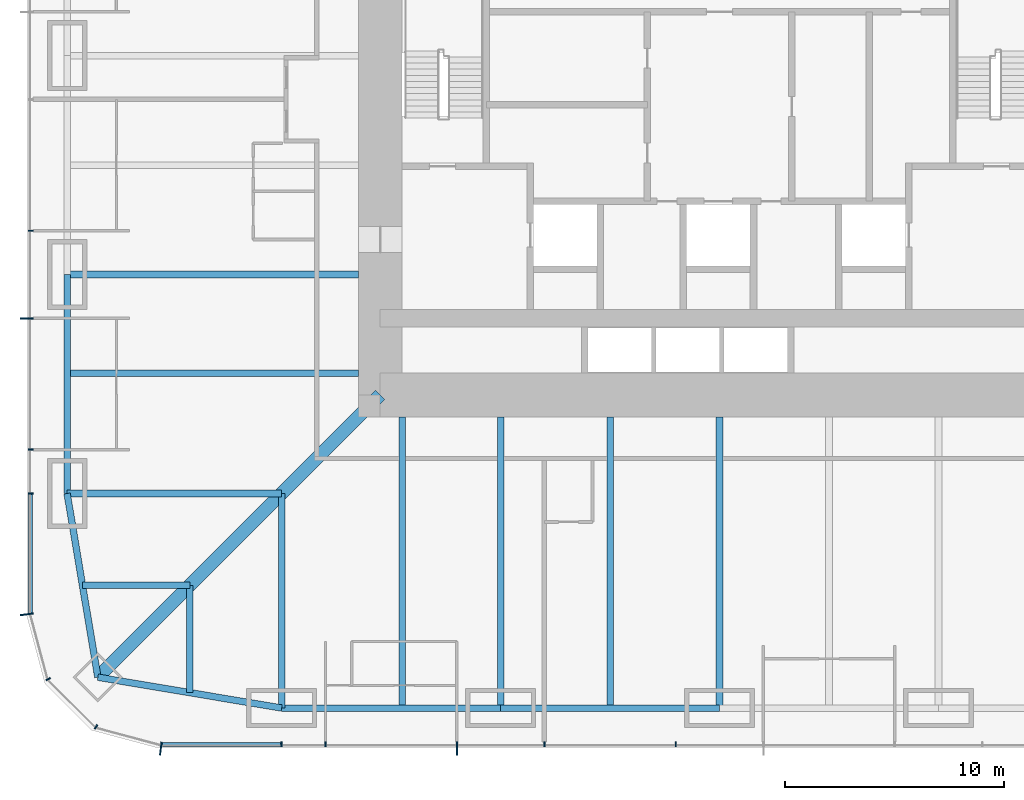
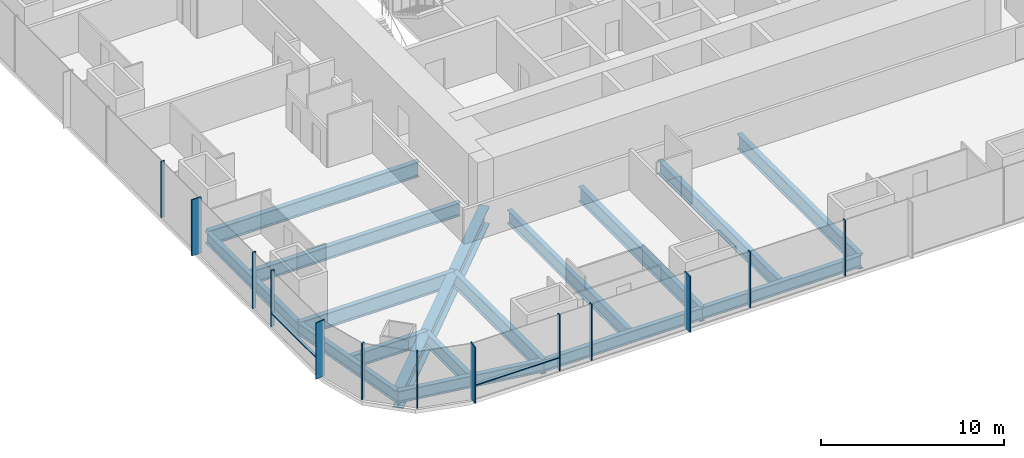
# One storey, part 2 of 17: 16 beams, 15 members, 3 elements without a shape of their own.
"""IFC4 building model written with IfcOpenShell, lengths in metres."""

from ifc_helpers import new_model, si_unit, direction, frame, origin, origin_2d, place, context, subcontext, project, spatial, rectangle, i_section, extrude, material, material_profile, profile_set, type_object, element, aggregate, save


model = new_model("IFC4")

# Units and contexts
model_context = context("Model", 3, precision=1e-05, world=origin(), true_north=direction((0.0, 1.0)))
body_context = subcontext(model_context, "Body", "Model", "MODEL_VIEW")
ifc_project = project(units=[si_unit("LENGTHUNIT", "METRE"), si_unit("AREAUNIT", "SQUARE_METRE"), si_unit("VOLUMEUNIT", "CUBIC_METRE"), si_unit("PLANEANGLEUNIT", "RADIAN"), si_unit("MASSUNIT", "GRAM", prefix="KILO")], contexts=[model_context])

# Site, building, storey
site_placement = place(None, origin())
site = spatial("IfcSite", under=ifc_project, at=site_placement, CompositionType="ELEMENT")
building_placement = place(site_placement, origin())
building = spatial("IfcBuilding", under=site, at=building_placement, Name="Khuree Lantern Residences", CompositionType="ELEMENT")
storey_placement = place(building_placement, frame((0.0, 0.0, 51.0)))
storey = spatial("IfcBuildingStorey", under=building, at=storey_placement, Name="L12", CompositionType="ELEMENT", Elevation=51.0)

# Beams
ifc_material_1 = material(Name="Steel S355", Category="steel")
ifc_material_profile_1 = material_profile(ifc_material_1, i_section(OverallWidth=0.300048828125, OverallDepth=0.889892578125, WebThickness=0.01611328125, FlangeThickness=0.030029296875, FilletRadius=0.030029296875, at=origin_2d()), Name="HE 900 A")
ifc_profile_set_1 = profile_set([ifc_material_profile_1], Name="Steel S355")
beam_type_1 = type_object("IfcBeamType", Name="B-13 SECONDARY BEAM HE 900 A", PredefinedType="BEAM", material=ifc_profile_set_1)
for number, where, z_axis, x_axis, name in (
    (1, (-5.0, -29.800048828125, -0.695068359375), (0.0, 1.0, 0.0), (-1.0, 0.0, 0.0), "Secondary beam S4"),
    (2, (-14.5, -29.800048828125, -0.695068359375), (0.0, 1.0, 0.0), (-1.0, 0.0, 0.0), "Secondary beam S5"),
):
    element("IfcBeam", number, at=place(storey_placement, frame(where, z_axis=z_axis, x_axis=x_axis)), inside=storey, type_object=beam_type_1, Name=name, PredefinedType="BEAM", context=body_context, shape_type="SweptSolid", body=[
        extrude(i_section(OverallWidth=0.300048828125, OverallDepth=0.889892578125, WebThickness=0.01611328125, FlangeThickness=0.030029296875, FilletRadius=0.030029296875, at=origin_2d()), origin(), (0.0, 0.0, 1.0), 13.300048828125),
    ])
for number, where, z_axis, x_axis, name in (
    (3, (-24.197021484375, -29.09716796875, -0.695068359375), (0.0, 1.0, 0.0), (-1.0, 0.0, 0.0), "Secondary beam S6"),
    (4, (-29.09716796875, -24.197021484375, -0.695068359375), (1.0, 0.0, 0.0), (0.0, 1.0, 0.0), "Secondary beam W1"),
):
    element("IfcBeam", number, at=place(storey_placement, frame(where, z_axis=z_axis, x_axis=x_axis)), inside=storey, type_object=beam_type_1, Name=name, PredefinedType="BEAM", context=body_context, shape_type="SweptSolid", body=[
        extrude(i_section(OverallWidth=0.300048828125, OverallDepth=0.889892578125, WebThickness=0.01611328125, FlangeThickness=0.030029296875, FilletRadius=0.030029296875, at=origin_2d()), origin(), (0.0, 0.0, 1.0), 4.900146484375),
    ])
beam_1_placement = place(storey_placement, frame((-29.800048828125, -14.5, -0.695068359375), z_axis=(1.0, 0.0, 0.0), x_axis=(0.0, 1.0, 0.0)))
element("IfcBeam", 5, at=beam_1_placement, inside=storey, type_object=beam_type_1, Name="Secondary beam W2", PredefinedType="BEAM", context=body_context, shape_type="SweptSolid", body=[
    extrude(i_section(OverallWidth=0.300048828125, OverallDepth=0.889892578125, WebThickness=0.01611328125, FlangeThickness=0.030029296875, FilletRadius=0.030029296875, at=origin_2d()), origin(), (0.0, 0.0, 1.0), 13.300048828125),
])
ifc_material_profile_2 = material_profile(ifc_material_1, i_section(OverallWidth=0.300048828125, OverallDepth=0.7900390625, WebThickness=0.014892578125, FlangeThickness=0.028076171875, FilletRadius=0.030029296875, at=origin_2d()), Name="HE 800 A")
ifc_profile_set_2 = profile_set([ifc_material_profile_2], Name="Steel S355")
beam_type_2 = type_object("IfcBeamType", Name="E-13 SPANDREL BEAM HE 800 A", PredefinedType="SPANDREL", material=ifc_profile_set_2)
for number, where, z_axis, x_axis, name in (
    (6, (0.0, -29.800048828125, -0.64501953125), (-1.0, 0.0, 0.0), (0.0, -1.0, 0.0), "Spandrel beam S4"),
    (7, (-10.0, -29.800048828125, -0.64501953125), (-1.0, 0.0, 0.0), (0.0, -1.0, 0.0), "Spandrel beam S5"),
):
    element("IfcBeam", number, at=place(storey_placement, frame(where, z_axis=z_axis, x_axis=x_axis)), inside=storey, type_object=beam_type_2, Name=name, PredefinedType="SPANDREL", context=body_context, shape_type="SweptSolid", body=[
        extrude(i_section(OverallWidth=0.300048828125, OverallDepth=0.7900390625, WebThickness=0.014892578125, FlangeThickness=0.028076171875, FilletRadius=0.030029296875, at=origin_2d()), origin(), (0.0, 0.0, 1.0), 10.0),
    ])
for number, where, z_axis, x_axis, name in (
    (8, (-20.0, -29.800048828125, -0.64501953125), (-0.986260251158, 0.165199022349, 0.0), (-0.165199022349, -0.986260251158, 0.0), "Spandrel beam S6"),
    (9, (-28.39404296875, -28.39404296875, -0.64501953125), (-0.165199022349, 0.986260251158, 0.0), (-0.986260251158, -0.165199022349, 0.0), "Spandrel beam W1"),
):
    element("IfcBeam", number, at=place(storey_placement, frame(where, z_axis=z_axis, x_axis=x_axis)), inside=storey, type_object=beam_type_2, Name=name, PredefinedType="SPANDREL", context=body_context, shape_type="SweptSolid", body=[
        extrude(i_section(OverallWidth=0.300048828125, OverallDepth=0.7900390625, WebThickness=0.014892578125, FlangeThickness=0.028076171875, FilletRadius=0.030029296875, at=origin_2d()), origin(), (0.0, 0.0, 1.0), 8.510986328125),
    ])
beam_2_placement = place(storey_placement, frame((-29.800048828125, -20.0, -0.64501953125), z_axis=(0.0, 1.0, 0.0), x_axis=(-1.0, 0.0, 0.0)))
element("IfcBeam", 10, at=beam_2_placement, inside=storey, type_object=beam_type_2, Name="Spandrel beam W2", PredefinedType="SPANDREL", context=body_context, shape_type="SweptSolid", body=[
    extrude(i_section(OverallWidth=0.300048828125, OverallDepth=0.7900390625, WebThickness=0.014892578125, FlangeThickness=0.028076171875, FilletRadius=0.030029296875, at=origin_2d()), origin(), (0.0, 0.0, 1.0), 10.0),
])

# Curtain wall, member
ifc_material_2 = material(Name="Bronze anodised aluminium", Category="aluminium")
curtain_wall_type_1 = type_object("IfcCurtainWallType", Name="CW-T1 TOWER FACE CURTAIN WALL", PredefinedType="USERDEFINED", material=ifc_material_2)
curtain_wall_1_placement = place(storey_placement, origin())
curtain_wall_1 = element("IfcCurtainWall", 11, at=curtain_wall_1_placement, inside=storey, type_object=curtain_wall_type_1, Name="L12 WEST FACE CURTAIN WALL", ObjectType="Stick-built curtain wall", PredefinedType="USERDEFINED")
ifc_material_profile_3 = material_profile(ifc_material_2, rectangle(XDim=0.06494140625, YDim=0.60009765625, at=origin_2d()), Name="F1 65X600")
ifc_profile_set_3 = profile_set([ifc_material_profile_3], Name="Bronze anodised aluminium")
member_type_1 = type_object("IfcMemberType", Name="F1 BRONZE FIN MULLION TOWER 65X600", PredefinedType="MULLION", material=ifc_profile_set_3)
member_1_placement = place(storey_placement, frame((-31.64990234375, -12.0, 0.0), z_axis=(0.0, 0.0, 1.0), x_axis=(0.0, -1.0, 0.0)))
member_1 = element("IfcMember", 12, at=member_1_placement, type_object=member_type_1, Name="L12 WEST FACE FIN MULLION 40", PredefinedType="MULLION", context=body_context, shape_type="SweptSolid", body=[
    extrude(rectangle(XDim=0.06494140625, YDim=0.60009765625, at=origin_2d()), origin(), (0.0, 0.0, 1.0), 3.75),
])

curtain_wall_type_2 = type_object("IfcCurtainWallType", Name="CW-T2 TOWER CORNER CURTAIN WALL", PredefinedType="USERDEFINED", material=ifc_material_2)
curtain_wall_2_placement = place(storey_placement, origin())
curtain_wall_2 = element("IfcCurtainWall", 13, at=curtain_wall_2_placement, inside=storey, type_object=curtain_wall_type_2, Name="L12 SOUTH-WEST CORNER CURTAIN WALL", ObjectType="Faceted corner curtain wall", PredefinedType="USERDEFINED")
member_2_placement = place(storey_placement, frame((-31.650146484375, -25.519775390625, 0.0), z_axis=(0.0, 0.0, 1.0), x_axis=(0.130526257387, -0.991444852794, 0.0)))
member_2 = element("IfcMember", 14, at=member_2_placement, type_object=member_type_1, Name="L12 SOUTH-WEST CORNER FIN MULLION 43", PredefinedType="MULLION", context=body_context, shape_type="SweptSolid", body=[
    extrude(rectangle(XDim=0.06494140625, YDim=0.60009765625, at=origin_2d()), origin(), (0.0, 0.0, 1.0), 3.75),
])

# Curtain wall, members
curtain_wall_3_placement = place(storey_placement, origin())
curtain_wall_3 = element("IfcCurtainWall", 15, at=curtain_wall_3_placement, inside=storey, type_object=curtain_wall_type_1, Name="L12 SOUTH FACE CURTAIN WALL", ObjectType="Stick-built curtain wall", PredefinedType="USERDEFINED")
member_3_placement = place(storey_placement, frame((-25.519775390625, -31.650146484375, 0.0), z_axis=(0.0, 0.0, 1.0), x_axis=(0.991444852794, -0.130526257387, 0.0)))
member_3 = element("IfcMember", 16, at=member_3_placement, type_object=member_type_1, Name="L12 SOUTH FACE FIN MULLION 46", PredefinedType="MULLION", context=body_context, shape_type="SweptSolid", body=[
    extrude(rectangle(XDim=0.06494140625, YDim=0.60009765625, at=origin_2d()), origin(), (0.0, 0.0, 1.0), 3.75),
])
member_4_placement = place(storey_placement, frame((-12.0, -31.64990234375, 0.0), z_axis=(0.0, 0.0, 1.0), x_axis=(1.0, 0.0, 0.0)))
member_4 = element("IfcMember", 17, at=member_4_placement, type_object=member_type_1, Name="L12 SOUTH FACE FIN MULLION 49", PredefinedType="MULLION", context=body_context, shape_type="SweptSolid", body=[
    extrude(rectangle(XDim=0.06494140625, YDim=0.60009765625, at=origin_2d()), origin(), (0.0, 0.0, 1.0), 3.75),
])

# Beams
ifc_material_profile_4 = material_profile(ifc_material_1, i_section(OverallWidth=0.302001953125, OverallDepth=1.008056640625, WebThickness=0.02099609375, FlangeThickness=0.0400390625, FilletRadius=0.030029296875, at=origin_2d()), Name="HE 1000 M")
ifc_profile_set_4 = profile_set([ifc_material_profile_4], Name="Steel S355")
beam_type_3 = type_object("IfcBeamType", Name="G-13 GIRDER HE 1000 M", PredefinedType="BEAM", material=ifc_profile_set_4)
for number, where, z_axis, x_axis, name in (
    (18, (0.0, -29.800048828125, -0.75390625), (0.0, 1.0, 0.0), (-1.0, 0.0, 0.0), "Girder S3"),
    (19, (-10.0, -29.800048828125, -0.75390625), (0.0, 1.0, 0.0), (-1.0, 0.0, 0.0), "Girder S4"),
):
    element("IfcBeam", number, at=place(storey_placement, frame(where, z_axis=z_axis, x_axis=x_axis)), inside=storey, type_object=beam_type_3, Name=name, PredefinedType="BEAM", context=body_context, shape_type="SweptSolid", body=[
        extrude(i_section(OverallWidth=0.302001953125, OverallDepth=1.008056640625, WebThickness=0.02099609375, FlangeThickness=0.0400390625, FilletRadius=0.030029296875, at=origin_2d()), origin(), (0.0, 0.0, 1.0), 13.300048828125),
    ])
for number, where, z_axis, x_axis, name in (
    (20, (-20.0, -29.800048828125, -0.75390625), (0.0, 1.0, 0.0), (-1.0, 0.0, 0.0), "Girder S5"),
    (21, (-29.800048828125, -20.0, -0.75390625), (1.0, 0.0, 0.0), (0.0, 1.0, 0.0), "Girder W1"),
):
    element("IfcBeam", number, at=place(storey_placement, frame(where, z_axis=z_axis, x_axis=x_axis)), inside=storey, type_object=beam_type_3, Name=name, PredefinedType="BEAM", context=body_context, shape_type="SweptSolid", body=[
        extrude(i_section(OverallWidth=0.302001953125, OverallDepth=1.008056640625, WebThickness=0.02099609375, FlangeThickness=0.0400390625, FilletRadius=0.030029296875, at=origin_2d()), origin(), (0.0, 0.0, 1.0), 9.800048828125),
    ])
beam_3_placement = place(storey_placement, frame((-29.800048828125, -10.0, -0.75390625), z_axis=(1.0, 0.0, 0.0), x_axis=(0.0, 1.0, 0.0)))
element("IfcBeam", 22, at=beam_3_placement, inside=storey, type_object=beam_type_3, Name="Girder W2", PredefinedType="BEAM", context=body_context, shape_type="SweptSolid", body=[
    extrude(i_section(OverallWidth=0.302001953125, OverallDepth=1.008056640625, WebThickness=0.02099609375, FlangeThickness=0.0400390625, FilletRadius=0.030029296875, at=origin_2d()), origin(), (0.0, 0.0, 1.0), 13.300048828125),
])
ifc_material_profile_5 = material_profile(ifc_material_1, i_section(OverallWidth=0.60009765625, OverallDepth=1.199951171875, WebThickness=0.030029296875, FlangeThickness=0.06005859375, at=origin_2d()), Name="WELDED I 1200X600X30X60")
ifc_profile_set_5 = profile_set([ifc_material_profile_5], Name="Steel S355")
beam_type_4 = type_object("IfcBeamType", Name="GD-13 CORNER GIRDER WELDED I 1200X600X30X60", PredefinedType="BEAM", material=ifc_profile_set_5)
beam_4_placement = place(storey_placement, frame((-28.39404296875, -28.39404296875, -0.85009765625), z_axis=(0.707106781187, 0.707106781187, 0.0), x_axis=(-0.707106781187, 0.707106781187, 0.0)))
element("IfcBeam", 23, at=beam_4_placement, inside=storey, type_object=beam_type_4, Name="Corner girder SW", PredefinedType="BEAM", context=body_context, shape_type="SweptSolid", body=[
    extrude(i_section(OverallWidth=0.60009765625, OverallDepth=1.199951171875, WebThickness=0.030029296875, FlangeThickness=0.06005859375, at=origin_2d()), origin(), (0.0, 0.0, 1.0), 18.23486328125),
])

# Member
ifc_material_profile_6 = material_profile(ifc_material_2, rectangle(XDim=0.06494140625, YDim=0.219970703125, at=origin_2d()), Name="M1 65X220")
ifc_profile_set_6 = profile_set([ifc_material_profile_6], Name="Bronze anodised aluminium")
member_type_2 = type_object("IfcMemberType", Name="M1 BRONZE MULLION TOWER 65X220", PredefinedType="MULLION", material=ifc_profile_set_6)
member_5_placement = place(storey_placement, frame((-31.4599609375, -8.0, 0.0), z_axis=(0.0, 0.0, 1.0), x_axis=(0.0, -1.0, 0.0)))
member_5 = element("IfcMember", 24, at=member_5_placement, type_object=member_type_2, Name="L12 WEST FACE MULLION 39", PredefinedType="MULLION", context=body_context, shape_type="SweptSolid", body=[
    extrude(rectangle(XDim=0.06494140625, YDim=0.219970703125, at=origin_2d()), origin(), (0.0, 0.0, 1.0), 3.75),
])

member_6_placement = place(storey_placement, frame((-31.4599609375, -18.0, 0.0), z_axis=(0.0, 0.0, 1.0), x_axis=(0.0, -1.0, 0.0)))
member_6 = element("IfcMember", 25, at=member_6_placement, type_object=member_type_2, Name="L12 WEST FACE MULLION 41", PredefinedType="MULLION", context=body_context, shape_type="SweptSolid", body=[
    extrude(rectangle(XDim=0.06494140625, YDim=0.219970703125, at=origin_2d()), origin(), (0.0, 0.0, 1.0), 3.75),
])

member_7_placement = place(storey_placement, frame((-31.4599609375, -20.0, 0.0), z_axis=(0.0, 0.0, 1.0), x_axis=(0.0, -1.0, 0.0)))
member_7 = element("IfcMember", 26, at=member_7_placement, type_object=member_type_2, Name="L12 WEST FACE MULLION 42", PredefinedType="MULLION", context=body_context, shape_type="SweptSolid", body=[
    extrude(rectangle(XDim=0.06494140625, YDim=0.219970703125, at=origin_2d()), origin(), (0.0, 0.0, 1.0), 3.75),
])

member_8_placement = place(storey_placement, frame((-30.66162109375, -28.47998046875, 0.0), z_axis=(0.0, 0.0, 1.0), x_axis=(0.500000056923, -0.86602537092, 0.0)))
member_8 = element("IfcMember", 27, at=member_8_placement, type_object=member_type_2, Name="L12 SOUTH-WEST CORNER MULLION 44", PredefinedType="MULLION", context=body_context, shape_type="SweptSolid", body=[
    extrude(rectangle(XDim=0.06494140625, YDim=0.219970703125, at=origin_2d()), origin(), (0.0, 0.0, 1.0), 3.75),
])

member_9_placement = place(storey_placement, frame((-28.47998046875, -30.66162109375, 0.0), z_axis=(0.0, 0.0, 1.0), x_axis=(0.86602537092, -0.500000056923, 0.0)))
member_9 = element("IfcMember", 28, at=member_9_placement, type_object=member_type_2, Name="L12 SOUTH-WEST CORNER MULLION 45", PredefinedType="MULLION", context=body_context, shape_type="SweptSolid", body=[
    extrude(rectangle(XDim=0.06494140625, YDim=0.219970703125, at=origin_2d()), origin(), (0.0, 0.0, 1.0), 3.75),
])

aggregate(curtain_wall_2, [member_2, member_8, member_9])

member_10_placement = place(storey_placement, frame((-20.0, -31.4599609375, 0.0), z_axis=(0.0, 0.0, 1.0), x_axis=(1.0, 0.0, 0.0)))
member_10 = element("IfcMember", 29, at=member_10_placement, type_object=member_type_2, Name="L12 SOUTH FACE MULLION 47", PredefinedType="MULLION", context=body_context, shape_type="SweptSolid", body=[
    extrude(rectangle(XDim=0.06494140625, YDim=0.219970703125, at=origin_2d()), origin(), (0.0, 0.0, 1.0), 3.75),
])

member_11_placement = place(storey_placement, frame((-18.0, -31.4599609375, 0.0), z_axis=(0.0, 0.0, 1.0), x_axis=(1.0, 0.0, 0.0)))
member_11 = element("IfcMember", 30, at=member_11_placement, type_object=member_type_2, Name="L12 SOUTH FACE MULLION 48", PredefinedType="MULLION", context=body_context, shape_type="SweptSolid", body=[
    extrude(rectangle(XDim=0.06494140625, YDim=0.219970703125, at=origin_2d()), origin(), (0.0, 0.0, 1.0), 3.75),
])

member_12_placement = place(storey_placement, frame((-8.0, -31.4599609375, 0.0), z_axis=(0.0, 0.0, 1.0), x_axis=(1.0, 0.0, 0.0)))
member_12 = element("IfcMember", 31, at=member_12_placement, type_object=member_type_2, Name="L12 SOUTH FACE MULLION 50", PredefinedType="MULLION", context=body_context, shape_type="SweptSolid", body=[
    extrude(rectangle(XDim=0.06494140625, YDim=0.219970703125, at=origin_2d()), origin(), (0.0, 0.0, 1.0), 3.75),
])

member_13_placement = place(storey_placement, frame((-2.0, -31.4599609375, 0.0), z_axis=(0.0, 0.0, 1.0), x_axis=(1.0, 0.0, 0.0)))
member_13 = element("IfcMember", 32, at=member_13_placement, type_object=member_type_2, Name="L12 SOUTH FACE MULLION 51", PredefinedType="MULLION", context=body_context, shape_type="SweptSolid", body=[
    extrude(rectangle(XDim=0.06494140625, YDim=0.219970703125, at=origin_2d()), origin(), (0.0, 0.0, 1.0), 3.75),
])

ifc_material_profile_7 = material_profile(ifc_material_2, rectangle(XDim=0.179931640625, YDim=0.06494140625, at=origin_2d()), Name="T1 180X65")
ifc_profile_set_7 = profile_set([ifc_material_profile_7], Name="Bronze anodised aluminium")
member_type_3 = type_object("IfcMemberType", Name="TRANSOM T1 TOWER 180X65", PredefinedType="USERDEFINED", material=ifc_profile_set_7)
member_14_placement = place(storey_placement, frame((-31.469970703125, -20.032470703125, 0.89990234375), z_axis=(0.0, -1.0, 0.0), x_axis=(1.0, 0.0, 0.0)))
member_14 = element("IfcMember", 33, at=member_14_placement, type_object=member_type_3, Name="L12 WEST FACE TRANSOM 42.1", ObjectType="Transom", PredefinedType="USERDEFINED", context=body_context, shape_type="SweptSolid", body=[
    extrude(rectangle(XDim=0.179931640625, YDim=0.06494140625, at=origin_2d()), origin(), (0.0, 0.0, 1.0), 5.4189453125),
])

aggregate(curtain_wall_1, [member_5, member_1, member_6, member_7, member_14])

member_15_placement = place(storey_placement, frame((-25.451416015625, -31.469970703125, 0.89990234375), z_axis=(1.0, 0.0, 0.0), x_axis=(0.0, 1.0, 0.0)))
member_15 = element("IfcMember", 34, at=member_15_placement, type_object=member_type_3, Name="L12 SOUTH FACE TRANSOM 46.1", ObjectType="Transom", PredefinedType="USERDEFINED", context=body_context, shape_type="SweptSolid", body=[
    extrude(rectangle(XDim=0.179931640625, YDim=0.06494140625, at=origin_2d()), origin(), (0.0, 0.0, 1.0), 5.4189453125),
])

aggregate(curtain_wall_3, [member_3, member_10, member_11, member_4, member_12, member_13, member_15])

save(model, "model.ifc")
